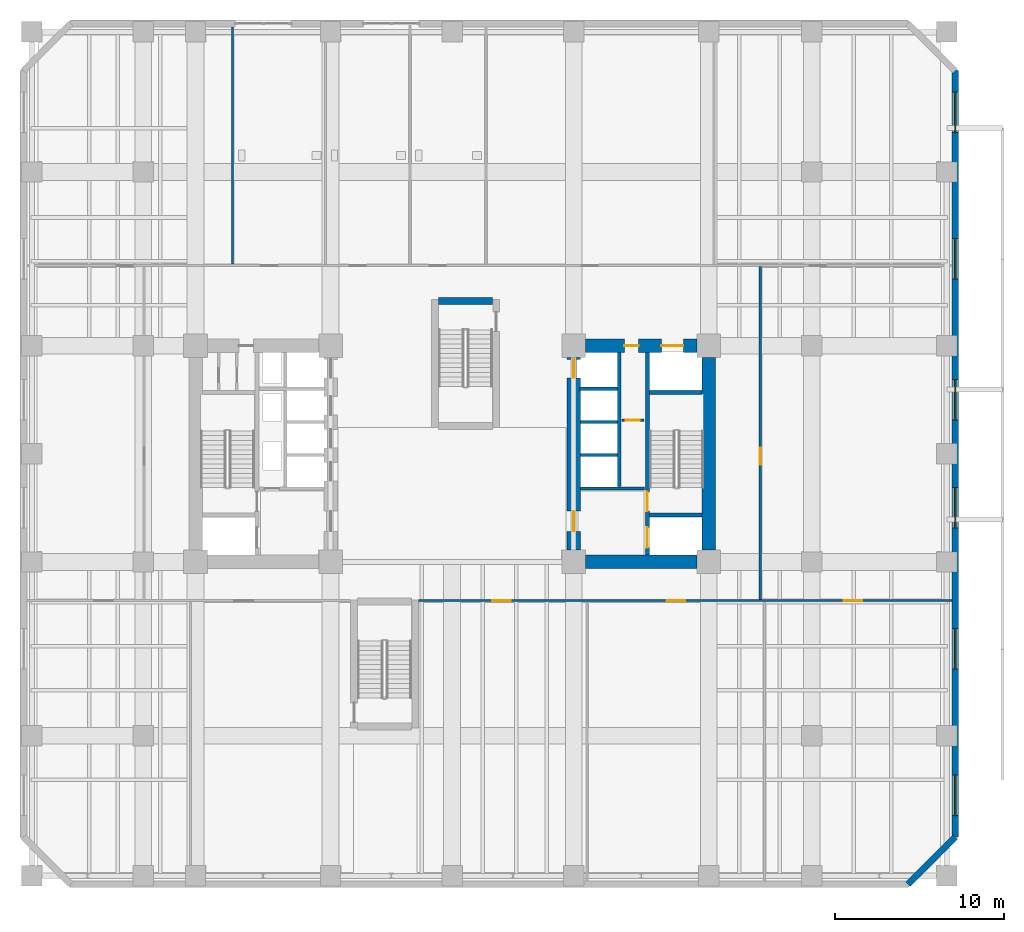
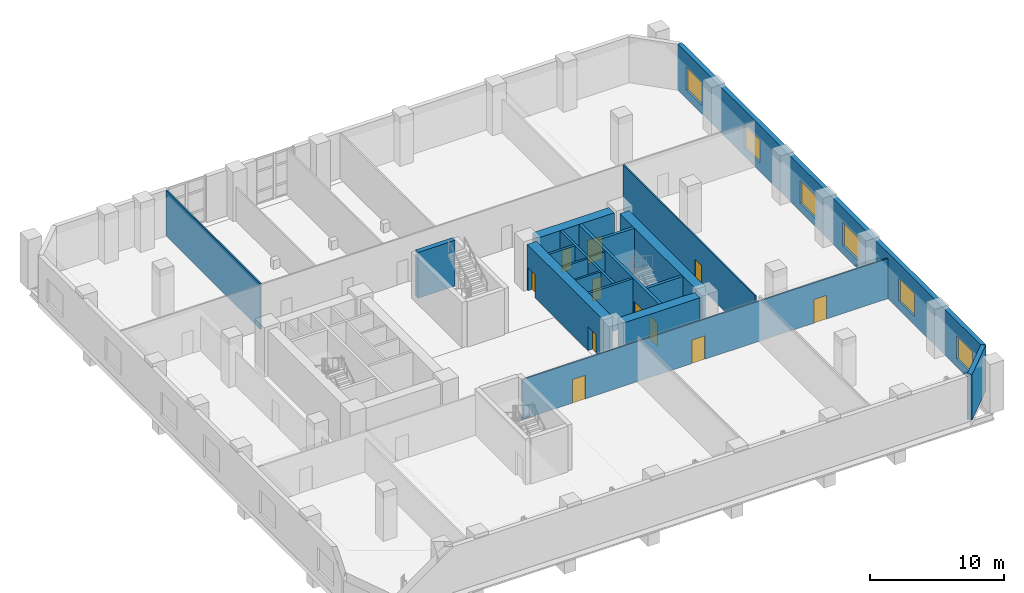
# One storey, part 8 of 15: 19 walls, 11 doors, 6 windows, 17 openings.
"""IFC4 building model written with IfcOpenShell, lengths in metres."""

import ifcopenshell
import ifcopenshell.guid

model = None  # the IFC model being written
_history = None  # IfcOwnerHistory: only IFC2X3 demands one
_inside = {}  # id of a spatial element -> (the spatial element, [elements in it])
_under = {}  # id of a project, library or spatial element -> (it, [spatial elements below it])
_declared = {}  # id of a project -> (the project, [libraries it declares])
_typed = {}  # id of a type object -> (the type object, [elements of that type])
_made_of = {}  # id of a material, layer set ... -> (it, [elements and type objects made of it])


def new_model(schema):
    """Start an empty IFC model of exactly this schema.

    Asked for "IFC4X3", IfcOpenShell would pick the latest addendum, in which some entities
    have other attributes; the version numbers below select the first issue.
    IFC2X3 requires an IfcOwnerHistory on every rooted entity: one is made here for all.
    """
    global model, _history
    if schema == "IFC4X3":
        model = ifcopenshell.file(schema_version=(4, 3, 0, 0))
    else:
        model = ifcopenshell.file(schema=schema)
    _inside.clear()
    _under.clear()
    _declared.clear()
    _typed.clear()
    _made_of.clear()
    _history = None
    if model.schema == "IFC2X3":
        org = make("IfcOrganization", Name="unknown")
        user = make(
            "IfcPersonAndOrganization",
            ThePerson=make("IfcPerson", FamilyName="unknown"),
            TheOrganization=org,
        )
        app = make(
            "IfcApplication",
            ApplicationDeveloper=org,
            Version="unknown",
            ApplicationFullName="unknown",
            ApplicationIdentifier="unknown",
        )
        _history = make(
            "IfcOwnerHistory",
            OwningUser=user,
            OwningApplication=app,
            ChangeAction="ADDED",
            CreationDate=0,
        )
    return model


def make(cls, **values):
    """One entity of the class cls with the attributes given. An attribute that is None is left unset."""
    return model.create_entity(
        cls, **{name: value for name, value in values.items() if value is not None}
    )


def rooted(cls, **values):
    """An entity with a GlobalId (a new one), such as an element, a storey or a relation."""
    return make(cls, GlobalId=ifcopenshell.guid.new(), OwnerHistory=_history, **values)


def si_unit(unit_type, name, prefix=None):
    """IfcSIUnit, for example si_unit("LENGTHUNIT", "METRE", prefix="MILLI")."""
    return make("IfcSIUnit", UnitType=unit_type, Prefix=prefix, Name=name)


def assignment(units):
    """IfcUnitAssignment: the units of a project."""
    return None if units is None else make("IfcUnitAssignment", Units=units)


def point(xyz):
    """IfcCartesianPoint."""
    return None if xyz is None else make("IfcCartesianPoint", Coordinates=xyz)


def direction(xyz):
    """IfcDirection."""
    return None if xyz is None else make("IfcDirection", DirectionRatios=xyz)


def frame(location, z_axis=None, x_axis=None):
    """IfcAxis2Placement3D, a coordinate frame: its origin and axes. An axis left out is left unset."""
    return make(
        "IfcAxis2Placement3D",
        Location=point(location),
        Axis=direction(z_axis),
        RefDirection=direction(x_axis),
    )


def frame_2d(location, x_axis=None):
    """IfcAxis2Placement2D, a coordinate frame in the plane: its origin and x axis."""
    return make(
        "IfcAxis2Placement2D", Location=point(location), RefDirection=direction(x_axis)
    )


def origin():
    """The frame at (0, 0, 0) with its axes left unset."""
    return frame((0.0, 0.0, 0.0))


def place(relative_to, where):
    """IfcLocalPlacement: puts the frame where relative to a parent placement (None: the world)."""
    return make(
        "IfcLocalPlacement", PlacementRelTo=relative_to, RelativePlacement=where
    )


def context(
    kind, dimensions, precision=None, world=None, true_north=None, identifier=None
):
    """IfcGeometricRepresentationContext, for example the 3D "Model" context."""
    return make(
        "IfcGeometricRepresentationContext",
        ContextIdentifier=identifier,
        ContextType=kind,
        CoordinateSpaceDimension=dimensions,
        Precision=precision,
        WorldCoordinateSystem=world,
        TrueNorth=true_north,
    )


def subcontext(parent, identifier, kind, view, scale=None):
    """IfcGeometricRepresentationSubContext, for example "Body" below "Model"."""
    return make(
        "IfcGeometricRepresentationSubContext",
        ContextIdentifier=identifier,
        ContextType=kind,
        ParentContext=parent,
        TargetScale=scale,
        TargetView=view,
    )


def project(units=None, contexts=None):
    """IfcProject with its units and contexts."""
    return rooted(
        "IfcProject",
        Name="project",
        RepresentationContexts=contexts,
        UnitsInContext=assignment(units),
    )


def spatial(cls, under=None, at=None, **own):
    """A site, building, storey or space (cls), placed at a placement, below another one or the project."""
    s = rooted(cls, ObjectPlacement=at, **own)
    if under is not None:
        _under.setdefault(under.id(), (under, []))[1].append(s)
    return s


def profile(cls, at=None, kind="AREA", **sizes):
    """A parametric profile (cls). Its sizes go by their IFC names, for example OverallWidth=200.0."""
    return make(cls, ProfileType=kind, Position=at, **sizes)


def rectangle(**sizes):
    """IfcRectangleProfileDef."""
    return profile("IfcRectangleProfileDef", **sizes)


def extrude(swept, where, along, depth):
    """IfcExtrudedAreaSolid: the profile swept, set in the frame where, extruded along a direction by depth."""
    return make(
        "IfcExtrudedAreaSolid",
        SweptArea=swept,
        Position=where,
        ExtrudedDirection=direction(along),
        Depth=depth,
    )


def shape(context_of_items, identifier, shape_type, items):
    """IfcShapeRepresentation: the items that make up one representation, for example the "Body"."""
    return make(
        "IfcShapeRepresentation",
        ContextOfItems=context_of_items,
        RepresentationIdentifier=identifier,
        RepresentationType=shape_type,
        Items=items,
    )


def material(Name=None, Category=None):
    """IfcMaterial."""
    return make("IfcMaterial", Name=Name, Category=Category)


def layer(
    of_material, thickness, ventilated=None, Name=None, Category=None, Priority=None
):
    """IfcMaterialLayer: one layer of a wall or slab, of a material (None: an air gap)."""
    return make(
        "IfcMaterialLayer",
        Material=of_material,
        LayerThickness=thickness,
        IsVentilated=ventilated,
        Name=Name,
        Category=Category,
        Priority=Priority,
    )


def layer_set(layers, Name=None):
    """IfcMaterialLayerSet."""
    return make("IfcMaterialLayerSet", MaterialLayers=layers, LayerSetName=Name)


def made_of(thing, what):
    """Note that an element or type object is made of a material, layer set ...; save() writes the relation."""
    if what is not None:
        _made_of.setdefault(what.id(), (what, []))[1].append(thing)
    return thing


def type_object(cls, material=None, **own):
    """A type object (cls), such as IfcWallType, which elements share."""
    return made_of(rooted(cls, **own), material)


def element(
    cls,
    number,
    at=None,
    inside=None,
    cuts=None,
    type_object=None,
    material=None,
    context=None,
    identifier="Body",
    shape_type=None,
    held_by="IfcProductDefinitionShape",
    body=None,
    shapes=None,
    **own,
):
    """One element of the class cls, such as IfcWall. Its Tag is "e" and its number.

    at: its placement. inside: the storey or other place that contains it. cuts: it is an
    opening in that element (IfcRelVoidsElement). A single representation is given by context,
    identifier, shape_type and body (its items); several are given by shapes. held_by: the class
    of the entity that holds the representations. save() writes the other relations.
    """
    e = rooted(cls, Tag="e%d" % number, ObjectPlacement=at, **own)
    if body is not None:
        shapes = [shape(context, identifier, shape_type, body)]
    if shapes is not None:
        e.Representation = make(held_by, Representations=shapes)
    if inside is not None:
        _inside.setdefault(inside.id(), (inside, []))[1].append(e)
    if cuts is not None:
        rooted(
            "IfcRelVoidsElement", RelatingBuildingElement=cuts, RelatedOpeningElement=e
        )
    if type_object is not None:
        _typed.setdefault(type_object.id(), (type_object, []))[1].append(e)
    return made_of(e, material)


def fill(opening, filler):
    """IfcRelFillsElement: the door or window that sits in an opening."""
    return rooted(
        "IfcRelFillsElement",
        RelatingOpeningElement=opening,
        RelatedBuildingElement=filler,
    )


def aggregate(whole, parts):
    """IfcRelAggregates: a whole, such as a stair, and the parts it consists of."""
    return rooted("IfcRelAggregates", RelatingObject=whole, RelatedObjects=parts)


def save(model, path):
    """Write the relations noted so far, then the file.

    IfcRelAggregates (storeys below a building ...), IfcRelContainedInSpatialStructure (elements
    in a storey), IfcRelDefinesByType, IfcRelAssociatesMaterial and IfcRelDeclares: one each for
    every whole, place, type object, material and project.
    """
    for whole, parts in _under.values():
        aggregate(whole, parts)
    for where, things in _inside.values():
        rooted(
            "IfcRelContainedInSpatialStructure",
            RelatedElements=things,
            RelatingStructure=where,
        )
    for kind, things in _typed.values():
        rooted("IfcRelDefinesByType", RelatedObjects=things, RelatingType=kind)
    for what, things in _made_of.values():
        rooted("IfcRelAssociatesMaterial", RelatedObjects=things, RelatingMaterial=what)
    for by, libraries in _declared.values():
        rooted("IfcRelDeclares", RelatingContext=by, RelatedDefinitions=libraries)
    model.write(path)


model = new_model("IFC4")

# Units and contexts
model_context = context("Model", 3, precision=1e-05, world=origin(), true_north=direction((0.0, 1.0)))
body_context = subcontext(model_context, "Body", "Model", "MODEL_VIEW")
ifc_project = project(units=[si_unit("LENGTHUNIT", "METRE"), si_unit("AREAUNIT", "SQUARE_METRE"), si_unit("VOLUMEUNIT", "CUBIC_METRE"), si_unit("PLANEANGLEUNIT", "RADIAN"), si_unit("MASSUNIT", "GRAM", prefix="KILO")], contexts=[model_context])

# Site, building, storey
site_placement = place(None, origin())
site = spatial("IfcSite", under=ifc_project, at=site_placement, CompositionType="ELEMENT")
building_placement = place(site_placement, origin())
building = spatial("IfcBuilding", under=site, at=building_placement, Name="Kranthara Brick Stack", CompositionType="ELEMENT")
storey_placement = place(building_placement, frame((0.0, 0.0, 5.39990234375)))
storey = spatial("IfcBuildingStorey", under=building, at=storey_placement, Name="L01", CompositionType="ELEMENT", Elevation=5.39990234375)

# Wall, openings, windows
ifc_material_1 = material(Name="Kiln-fired clay brick masonry M15", Category="masonry")
ifc_layer_1 = layer(ifc_material_1, 0.3798828125)
ifc_layer_set_1 = layer_set([ifc_layer_1], Name="Kiln-fired clay brick masonry M15")
wall_type_1 = type_object("IfcWallType", Name="WL-BRK-PIER-380", PredefinedType="STANDARD", material=ifc_layer_set_1)
wall_1_placement = place(storey_placement, frame((57.7900390625, 49.89990234375, 0.0), z_axis=(0.0, 0.0, 1.0), x_axis=(0.0, -1.0, 0.0)))
wall_1 = element("IfcWall", 1, at=wall_1_placement, inside=storey, type_object=wall_type_1, Name="L01 Exterior Brick Facade Wall EAST 1", PredefinedType="STANDARD", context=body_context, shape_type="SweptSolid", body=[
    extrude(rectangle(XDim=45.39990234375, YDim=0.3798828125, at=frame_2d((22.699951171875, 0.0))), origin(), (0.0, 0.0, 1.0), 4.18017578125),
])
opening_1_placement = place(wall_1_placement, frame((1.27490234375, 0.0, 0.75)))
opening_1 = element("IfcOpeningElement", 2, at=opening_1_placement, cuts=wall_1, Name="Opening WN11", PredefinedType="OPENING", context=body_context, shape_type="SweptSolid", body=[
    extrude(rectangle(XDim=2.39990234375, YDim=2.10009765625, at=frame_2d((1.199951171875, 1.050048828125))), frame((0.0, 0.199951171875, 0.0), z_axis=(0.0, -1.0, 0.0), x_axis=(1.0, 0.0, 0.0)), (0.0, 0.0, 1.0), 0.39990234375),
])
opening_2_placement = place(wall_1_placement, frame((9.949951171875, 0.0, 0.75)))
opening_2 = element("IfcOpeningElement", 3, at=opening_2_placement, cuts=wall_1, Name="Opening WN11", PredefinedType="OPENING", context=body_context, shape_type="SweptSolid", body=[
    extrude(rectangle(XDim=2.39990234375, YDim=2.10009765625, at=frame_2d((1.199951171875, 1.050048828125))), frame((0.0, 0.199951171875, 0.0), z_axis=(0.0, -1.0, 0.0), x_axis=(1.0, 0.0, 0.0)), (0.0, 0.0, 1.0), 0.39990234375),
])
opening_3_placement = place(wall_1_placement, frame((18.300048828125, 0.0, 0.75)))
opening_3 = element("IfcOpeningElement", 4, at=opening_3_placement, cuts=wall_1, Name="Opening WN11", PredefinedType="OPENING", context=body_context, shape_type="SweptSolid", body=[
    extrude(rectangle(XDim=2.39990234375, YDim=2.10009765625, at=frame_2d((1.199951171875, 1.050048828125))), frame((0.0, 0.199951171875, 0.0), z_axis=(0.0, -1.0, 0.0), x_axis=(1.0, 0.0, 0.0)), (0.0, 0.0, 1.0), 0.39990234375),
])
opening_4_placement = place(wall_1_placement, frame((24.699951171875, 0.0, 0.75)))
opening_4 = element("IfcOpeningElement", 5, at=opening_4_placement, cuts=wall_1, Name="Opening WN11", PredefinedType="OPENING", context=body_context, shape_type="SweptSolid", body=[
    extrude(rectangle(XDim=2.39990234375, YDim=2.10009765625, at=frame_2d((1.199951171875, 1.050048828125))), frame((0.0, 0.199951171875, 0.0), z_axis=(0.0, -1.0, 0.0), x_axis=(1.0, 0.0, 0.0)), (0.0, 0.0, 1.0), 0.39990234375),
])
opening_5_placement = place(wall_1_placement, frame((33.050048828125, 0.0, 0.75)))
opening_5 = element("IfcOpeningElement", 6, at=opening_5_placement, cuts=wall_1, Name="Opening WN11", PredefinedType="OPENING", context=body_context, shape_type="SweptSolid", body=[
    extrude(rectangle(XDim=2.39990234375, YDim=2.10009765625, at=frame_2d((1.199951171875, 1.050048828125))), frame((0.0, 0.199951171875, 0.0), z_axis=(0.0, -1.0, 0.0), x_axis=(1.0, 0.0, 0.0)), (0.0, 0.0, 1.0), 0.39990234375),
])
opening_6_placement = place(wall_1_placement, frame((41.72509765625, 0.0, 0.75)))
opening_6 = element("IfcOpeningElement", 7, at=opening_6_placement, cuts=wall_1, Name="Opening WN11", PredefinedType="OPENING", context=body_context, shape_type="SweptSolid", body=[
    extrude(rectangle(XDim=2.39990234375, YDim=2.10009765625, at=frame_2d((1.199951171875, 1.050048828125))), frame((0.0, 0.199951171875, 0.0), z_axis=(0.0, -1.0, 0.0), x_axis=(1.0, 0.0, 0.0)), (0.0, 0.0, 1.0), 0.39990234375),
])
ifc_material_2 = material(Name="Double-glazed low-E solar control glass", Category="glass")
window_type = type_object("IfcWindowType", Name="WN-POD-2400x2100", PartitioningType="TRIPLE_PANEL_VERTICAL", PredefinedType="WINDOW", material=ifc_material_2)
window_1_placement = place(opening_1_placement, origin())
window_1 = element("IfcWindow", 8, at=window_1_placement, inside=storey, type_object=window_type, Name="L01 EAST Podium Window", OverallHeight=2.10009765625, OverallWidth=2.39990234375, PartitioningType="SINGLE_PANEL", PredefinedType="WINDOW", context=body_context, shape_type="SweptSolid", body=[
    extrude(rectangle(XDim=2.39990234375, YDim=2.10009765625, at=frame_2d((1.199951171875, 1.050048828125))), frame((0.0, 0.030029296875, 0.0), z_axis=(0.0, -1.0, 0.0), x_axis=(1.0, 0.0, 0.0)), (0.0, 0.0, 1.0), 0.06005859375),
])
fill(opening_1, window_1)
window_2_placement = place(opening_2_placement, origin())
window_2 = element("IfcWindow", 9, at=window_2_placement, inside=storey, type_object=window_type, Name="L01 EAST Podium Window", OverallHeight=2.10009765625, OverallWidth=2.39990234375, PartitioningType="SINGLE_PANEL", PredefinedType="WINDOW", context=body_context, shape_type="SweptSolid", body=[
    extrude(rectangle(XDim=2.39990234375, YDim=2.10009765625, at=frame_2d((1.199951171875, 1.050048828125))), frame((0.0, 0.030029296875, 0.0), z_axis=(0.0, -1.0, 0.0), x_axis=(1.0, 0.0, 0.0)), (0.0, 0.0, 1.0), 0.06005859375),
])
fill(opening_2, window_2)
window_3_placement = place(opening_3_placement, origin())
window_3 = element("IfcWindow", 10, at=window_3_placement, inside=storey, type_object=window_type, Name="L01 EAST Podium Window", OverallHeight=2.10009765625, OverallWidth=2.39990234375, PartitioningType="SINGLE_PANEL", PredefinedType="WINDOW", context=body_context, shape_type="SweptSolid", body=[
    extrude(rectangle(XDim=2.39990234375, YDim=2.10009765625, at=frame_2d((1.199951171875, 1.050048828125))), frame((0.0, 0.030029296875, 0.0), z_axis=(0.0, -1.0, 0.0), x_axis=(1.0, 0.0, 0.0)), (0.0, 0.0, 1.0), 0.06005859375),
])
fill(opening_3, window_3)
window_4_placement = place(opening_4_placement, origin())
window_4 = element("IfcWindow", 11, at=window_4_placement, inside=storey, type_object=window_type, Name="L01 EAST Podium Window", OverallHeight=2.10009765625, OverallWidth=2.39990234375, PartitioningType="SINGLE_PANEL", PredefinedType="WINDOW", context=body_context, shape_type="SweptSolid", body=[
    extrude(rectangle(XDim=2.39990234375, YDim=2.10009765625, at=frame_2d((1.199951171875, 1.050048828125))), frame((0.0, 0.030029296875, 0.0), z_axis=(0.0, -1.0, 0.0), x_axis=(1.0, 0.0, 0.0)), (0.0, 0.0, 1.0), 0.06005859375),
])
fill(opening_4, window_4)
window_5_placement = place(opening_5_placement, origin())
window_5 = element("IfcWindow", 12, at=window_5_placement, inside=storey, type_object=window_type, Name="L01 EAST Podium Window", OverallHeight=2.10009765625, OverallWidth=2.39990234375, PartitioningType="SINGLE_PANEL", PredefinedType="WINDOW", context=body_context, shape_type="SweptSolid", body=[
    extrude(rectangle(XDim=2.39990234375, YDim=2.10009765625, at=frame_2d((1.199951171875, 1.050048828125))), frame((0.0, 0.030029296875, 0.0), z_axis=(0.0, -1.0, 0.0), x_axis=(1.0, 0.0, 0.0)), (0.0, 0.0, 1.0), 0.06005859375),
])
fill(opening_5, window_5)
window_6_placement = place(opening_6_placement, origin())
window_6 = element("IfcWindow", 13, at=window_6_placement, inside=storey, type_object=window_type, Name="L01 EAST Podium Window", OverallHeight=2.10009765625, OverallWidth=2.39990234375, PartitioningType="SINGLE_PANEL", PredefinedType="WINDOW", context=body_context, shape_type="SweptSolid", body=[
    extrude(rectangle(XDim=2.39990234375, YDim=2.10009765625, at=frame_2d((1.199951171875, 1.050048828125))), frame((0.0, 0.030029296875, 0.0), z_axis=(0.0, -1.0, 0.0), x_axis=(1.0, 0.0, 0.0)), (0.0, 0.0, 1.0), 0.06005859375),
])
fill(opening_6, window_6)

# Wall
wall_2_placement = place(storey_placement, frame((57.7900390625, 4.5, 0.0), z_axis=(0.0, 0.0, 1.0), x_axis=(-0.707106781187, -0.707106781187, 0.0)))
element("IfcWall", 14, at=wall_2_placement, inside=storey, type_object=wall_type_1, Name="L01 Exterior Brick Facade Wall SE 1", PredefinedType="STANDARD", context=body_context, shape_type="SweptSolid", body=[
    extrude(rectangle(XDim=3.94580078125, YDim=0.3798828125, at=frame_2d((1.972900390625, 0.0))), origin(), (0.0, 0.0, 1.0), 4.18017578125),
])

# Wall, openings, doors
ifc_material_3 = material(Name="Concrete C50/60", Category="concrete")
ifc_layer_2 = layer(ifc_material_3, 0.25)
ifc_layer_set_2 = layer_set([ifc_layer_2], Name="Concrete C50/60")
wall_type_2 = type_object("IfcWallType", Name="WL-CORE-250", PredefinedType="SHEAR", material=ifc_layer_set_2)
wall_3_placement = place(storey_placement, frame((39.56494140625, 21.2099609375, 0.0), z_axis=(0.0, 0.0, 1.0), x_axis=(0.0, 1.0, 0.0)))
wall_3 = element("IfcWall", 15, at=wall_3_placement, inside=storey, type_object=wall_type_2, Name="L01 East Core Stair Bearing Spine Wall", PredefinedType="SHEAR", context=body_context, shape_type="SweptSolid", body=[
    extrude(rectangle(XDim=11.97998046875, YDim=0.25, at=frame_2d((5.989990234375, 0.0))), origin(), (0.0, 0.0, 1.0), 4.18017578125),
])
opening_7_placement = place(wall_3_placement, frame((0.43994140625, 0.0, 0.0)))
opening_7 = element("IfcOpeningElement", 16, at=opening_7_placement, cuts=wall_3, Name="Opening LD01", PredefinedType="OPENING", context=body_context, shape_type="SweptSolid", body=[
    extrude(rectangle(XDim=1.199951171875, YDim=2.14990234375, at=frame_2d((0.60009765625, 1.074951171875))), frame((0.0, 0.135009765625, 0.0), z_axis=(0.0, -1.0, 0.0), x_axis=(1.0, 0.0, 0.0)), (0.0, 0.0, 1.0), 0.27001953125),
])
opening_8_placement = place(wall_3_placement, frame((2.590087890625, 0.0, 0.0)))
opening_8 = element("IfcOpeningElement", 17, at=opening_8_placement, cuts=wall_3, Name="Opening D05", PredefinedType="OPENING", context=body_context, shape_type="SweptSolid", body=[
    extrude(rectangle(XDim=1.14990234375, YDim=2.14990234375, at=frame_2d((0.574951171875, 1.074951171875))), frame((0.0, 0.135009765625, 0.0), z_axis=(0.0, -1.0, 0.0), x_axis=(1.0, 0.0, 0.0)), (0.0, 0.0, 1.0), 0.27001953125),
])
ifc_material_4 = material(Name="Stainless steel sliding landing door", Category="steel")
door_type_1 = type_object("IfcDoorType", Name="DR-LD-FF1200", OperationType="DOUBLE_DOOR_SLIDING", PredefinedType="DOOR", material=ifc_material_4)
door_1_placement = place(opening_7_placement, origin())
door_1 = element("IfcDoor", 18, at=door_1_placement, inside=storey, type_object=door_type_1, Name="L01 Firefighting Lift FF-02 Landing Door", OperationType="DOUBLE_DOOR_SLIDING", OverallHeight=2.14990234375, OverallWidth=1.199951171875, PredefinedType="DOOR", context=body_context, shape_type="SweptSolid", body=[
    extrude(rectangle(XDim=1.199951171875, YDim=2.14990234375, at=frame_2d((0.60009765625, 1.074951171875))), frame((0.0, 0.02490234375, 0.0), z_axis=(0.0, -1.0, 0.0), x_axis=(1.0, 0.0, 0.0)), (0.0, 0.0, 1.0), 0.050048828125),
])
fill(opening_7, door_1)
ifc_material_5 = material(Name="Solid-core hardwood timber leaf in steel frame", Category="steel")
door_type_2 = type_object("IfcDoorType", Name="DR-ST-1150", OperationType="NOTDEFINED", PredefinedType="DOOR", material=ifc_material_5)
door_2_placement = place(opening_8_placement, origin())
door_2 = element("IfcDoor", 19, at=door_2_placement, inside=storey, type_object=door_type_2, Name="L01 Exit Stair ST02 Door", OperationType="SINGLE_SWING_LEFT", OverallHeight=2.14990234375, OverallWidth=1.14990234375, PredefinedType="DOOR", context=body_context, shape_type="SweptSolid", body=[
    extrude(rectangle(XDim=1.14990234375, YDim=2.14990234375, at=frame_2d((0.574951171875, 1.074951171875))), frame((0.0, 0.02490234375, 0.0), z_axis=(0.0, -1.0, 0.0), x_axis=(1.0, 0.0, 0.0)), (0.0, 0.0, 1.0), 0.050048828125),
])
fill(opening_8, door_2)

# Walls
for number, where, z_axis, x_axis, name in (
    (20, (39.68994140625, 23.570068359375, 0.0), (0.0, 0.0, 1.0), (1.0, 0.0, 0.0), "L01 East Stairwell Bearing Wall EFF"),
    (21, (39.68994140625, 30.830078125, 0.0), (0.0, 0.0, 1.0), (1.0, 0.0, 0.0), "L01 East Stairwell Bearing Wall EST"),
):
    element("IfcWall", number, at=place(storey_placement, frame(where, z_axis=z_axis, x_axis=x_axis)), inside=storey, type_object=wall_type_2, Name=name, PredefinedType="SHEAR", context=body_context, shape_type="SweptSolid", body=[
        extrude(rectangle(XDim=3.10009765625, YDim=0.25, at=frame_2d((1.550048828125, 0.0))), origin(), (0.0, 0.0, 1.0), 4.18017578125),
    ])
ifc_material_6 = material(Name="Concrete C50/60", Category="concrete")
ifc_layer_3 = layer(ifc_material_6, 0.39990234375)
ifc_layer_set_3 = layer_set([ifc_layer_3], Name="Concrete C50/60")
wall_type_3 = type_object("IfcWallType", Name="WL-CORE-400", PredefinedType="SHEAR", material=ifc_layer_set_3)
wall_4_placement = place(storey_placement, frame((27.199951171875, 36.25, 0.0), z_axis=(0.0, 0.0, 1.0), x_axis=(1.0, 0.0, 0.0)))
element("IfcWall", 22, at=wall_4_placement, inside=storey, type_object=wall_type_3, Name="L01 Stair ST04 Bearing Wall N", PredefinedType="SHEAR", context=body_context, shape_type="SweptSolid", body=[
    extrude(rectangle(XDim=3.199951171875, YDim=0.39990234375, at=frame_2d((1.60009765625, 0.0))), origin(), (0.0, 0.0, 1.0), 4.18017578125),
])
ifc_material_7 = material(Name="Concrete C70/85", Category="concrete")
ifc_layer_4 = layer(ifc_material_7, 0.800048828125)
ifc_layer_set_4 = layer_set([ifc_layer_4], Name="Concrete C70/85")
wall_type_4 = type_object("IfcWallType", Name="WL-CORE-800", PredefinedType="SHEAR", material=ifc_layer_set_4)
wall_5_placement = place(storey_placement, frame((43.199951171875, 21.5048828125, 0.0), z_axis=(0.0, 0.0, 1.0), x_axis=(0.0, 1.0, 0.0)))
element("IfcWall", 23, at=wall_5_placement, inside=storey, type_object=wall_type_4, Name="L01 East Core Shear Wall East", PredefinedType="SHEAR", context=body_context, shape_type="SweptSolid", body=[
    extrude(rectangle(XDim=11.39013671875, YDim=0.800048828125, at=frame_2d((5.695068359375, 0.0))), origin(), (0.0, 0.0, 1.0), 4.18017578125),
])
wall_6_placement = place(storey_placement, frame((35.905029296875, 20.800048828125, 0.0), z_axis=(0.0, 0.0, 1.0), x_axis=(1.0, 0.0, 0.0)))
element("IfcWall", 24, at=wall_6_placement, inside=storey, type_object=wall_type_4, Name="L01 East Core Shear Wall South", PredefinedType="SHEAR", context=body_context, shape_type="SweptSolid", body=[
    extrude(rectangle(XDim=6.590087890625, YDim=0.800048828125, at=frame_2d((3.294921875, 0.0))), origin(), (0.0, 0.0, 1.0), 4.18017578125),
])

# Wall, openings, doors
wall_7_placement = place(storey_placement, frame((35.905029296875, 33.60009765625, 0.0), z_axis=(0.0, 0.0, 1.0), x_axis=(1.0, 0.0, 0.0)))
wall_7 = element("IfcWall", 25, at=wall_7_placement, inside=storey, type_object=wall_type_4, Name="L01 East Core Shear Wall North", PredefinedType="SHEAR", context=body_context, shape_type="SweptSolid", body=[
    extrude(rectangle(XDim=6.590087890625, YDim=0.800048828125, at=frame_2d((3.294921875, 0.0))), origin(), (0.0, 0.0, 1.0), 4.18017578125),
])
opening_9_placement = place(wall_7_placement, frame((4.4951171875, 0.0, 0.0)))
opening_9 = element("IfcOpeningElement", 26, at=opening_9_placement, cuts=wall_7, Name="Opening LD03", PredefinedType="OPENING", context=body_context, shape_type="SweptSolid", body=[
    extrude(rectangle(XDim=1.300048828125, YDim=2.14990234375, at=frame_2d((0.64990234375, 1.074951171875))), frame((0.0, 0.409912109375, 0.0), z_axis=(0.0, -1.0, 0.0), x_axis=(1.0, 0.0, 0.0)), (0.0, 0.0, 1.0), 0.820068359375),
])
opening_10_placement = place(wall_7_placement, frame((2.294921875, 0.0, 0.0)))
opening_10 = element("IfcOpeningElement", 27, at=opening_10_placement, cuts=wall_7, Name="Opening D10", PredefinedType="OPENING", context=body_context, shape_type="SweptSolid", body=[
    extrude(rectangle(XDim=0.85009765625, YDim=2.02001953125, at=frame_2d((0.425048828125, 1.010009765625))), frame((0.0, 0.409912109375, 0.0), z_axis=(0.0, -1.0, 0.0), x_axis=(1.0, 0.0, 0.0)), (0.0, 0.0, 1.0), 0.820068359375),
])
ifc_material_8 = material(Name="Stainless steel sliding landing door", Category="steel")
door_type_3 = type_object("IfcDoorType", Name="DR-LD-SV1300", OperationType="DOUBLE_DOOR_SLIDING", PredefinedType="DOOR", material=ifc_material_8)
door_3_placement = place(opening_9_placement, origin())
door_3 = element("IfcDoor", 28, at=door_3_placement, inside=storey, type_object=door_type_3, Name="L01 Stretcher Service Lift SV-01 Landing Door", OperationType="DOUBLE_DOOR_SLIDING", OverallHeight=2.14990234375, OverallWidth=1.300048828125, PredefinedType="DOOR", context=body_context, shape_type="SweptSolid", body=[
    extrude(rectangle(XDim=1.300048828125, YDim=2.14990234375, at=frame_2d((0.64990234375, 1.074951171875))), frame((0.0, 0.02490234375, 0.0), z_axis=(0.0, -1.0, 0.0), x_axis=(1.0, 0.0, 0.0)), (0.0, 0.0, 1.0), 0.050048828125),
])
fill(opening_9, door_3)
ifc_material_9 = material(Name="Solid-core hardwood timber leaf in steel frame", Category="steel")
door_type_4 = type_object("IfcDoorType", Name="DR-RSR-850", OperationType="NOTDEFINED", PredefinedType="DOOR", material=ifc_material_9)
door_4_placement = place(opening_10_placement, origin())
door_4 = element("IfcDoor", 29, at=door_4_placement, inside=storey, type_object=door_type_4, Name="L01 East Core Service Room Door", OperationType="SINGLE_SWING_LEFT", OverallHeight=2.02001953125, OverallWidth=0.85009765625, PredefinedType="DOOR", context=body_context, shape_type="SweptSolid", body=[
    extrude(rectangle(XDim=0.85009765625, YDim=2.02001953125, at=frame_2d((0.425048828125, 1.010009765625))), frame((0.0, 0.02490234375, 0.0), z_axis=(0.0, -1.0, 0.0), x_axis=(1.0, 0.0, 0.0)), (0.0, 0.0, 1.0), 0.050048828125),
])
fill(opening_10, door_4)

wall_8_placement = place(storey_placement, frame((35.199951171875, 21.5048828125, 0.0), z_axis=(0.0, 0.0, 1.0), x_axis=(0.0, 1.0, 0.0)))
wall_8 = element("IfcWall", 30, at=wall_8_placement, inside=storey, type_object=wall_type_4, Name="L01 East Core Shear Wall West", PredefinedType="SHEAR", context=body_context, shape_type="SweptSolid", body=[
    extrude(rectangle(XDim=11.39013671875, YDim=0.800048828125, at=frame_2d((5.695068359375, 0.0))), origin(), (0.0, 0.0, 1.0), 4.18017578125),
])
opening_11_placement = place(wall_8_placement, frame((1.094970703125, 0.0, 0.0)))
opening_11 = element("IfcOpeningElement", 31, at=opening_11_placement, cuts=wall_8, Name="Opening D06", PredefinedType="OPENING", context=body_context, shape_type="SweptSolid", body=[
    extrude(rectangle(XDim=1.199951171875, YDim=2.14990234375, at=frame_2d((0.60009765625, 1.074951171875))), frame((0.0, 0.409912109375, 0.0), z_axis=(0.0, -1.0, 0.0), x_axis=(1.0, 0.0, 0.0)), (0.0, 0.0, 1.0), 0.820068359375),
])
opening_12_placement = place(wall_8_placement, frame((10.195068359375, 0.0, 0.0)))
opening_12 = element("IfcOpeningElement", 32, at=opening_12_placement, cuts=wall_8, Name="Opening LD02", PredefinedType="OPENING", context=body_context, shape_type="SweptSolid", body=[
    extrude(rectangle(XDim=1.10009765625, YDim=2.10009765625, at=frame_2d((0.550048828125, 1.050048828125))), frame((0.0, 0.409912109375, 0.0), z_axis=(0.0, -1.0, 0.0), x_axis=(1.0, 0.0, 0.0)), (0.0, 0.0, 1.0), 0.820068359375),
])
ifc_material_10 = material(Name="Solid-core hardwood timber leaf in steel frame", Category="steel")
door_type_5 = type_object("IfcDoorType", Name="DR-FFL-1200", OperationType="NOTDEFINED", PredefinedType="DOOR", material=ifc_material_10)
door_5_placement = place(opening_11_placement, origin())
door_5 = element("IfcDoor", 33, at=door_5_placement, inside=storey, type_object=door_type_5, Name="L01 East Firefighting Lobby Door", OperationType="SINGLE_SWING_RIGHT", OverallHeight=2.14990234375, OverallWidth=1.199951171875, PredefinedType="DOOR", context=body_context, shape_type="SweptSolid", body=[
    extrude(rectangle(XDim=1.199951171875, YDim=2.14990234375, at=frame_2d((0.60009765625, 1.074951171875))), frame((0.0, 0.02490234375, 0.0), z_axis=(0.0, -1.0, 0.0), x_axis=(1.0, 0.0, 0.0)), (0.0, 0.0, 1.0), 0.050048828125),
])
fill(opening_11, door_5)
ifc_material_11 = material(Name="Stainless steel sliding landing door", Category="steel")
door_type_6 = type_object("IfcDoorType", Name="DR-LD-PL1100", OperationType="DOUBLE_DOOR_SLIDING", PredefinedType="DOOR", material=ifc_material_11)
door_6_placement = place(opening_12_placement, origin())
door_6 = element("IfcDoor", 34, at=door_6_placement, inside=storey, type_object=door_type_6, Name="L01 PL-08 Lift Landing Door", OperationType="DOUBLE_DOOR_SLIDING", OverallHeight=2.10009765625, OverallWidth=1.10009765625, PredefinedType="DOOR", context=body_context, shape_type="SweptSolid", body=[
    extrude(rectangle(XDim=1.10009765625, YDim=2.10009765625, at=frame_2d((0.550048828125, 1.050048828125))), frame((0.0, 0.02490234375, 0.0), z_axis=(0.0, -1.0, 0.0), x_axis=(1.0, 0.0, 0.0)), (0.0, 0.0, 1.0), 0.050048828125),
])
fill(opening_12, door_6)

ifc_material_12 = material(Name="Acoustic gypsum plasterboard partition", Category="other")
ifc_layer_5 = layer(ifc_material_12, 0.1201171875)
ifc_layer_set_5 = layer_set([ifc_layer_5], Name="Acoustic gypsum plasterboard partition")
wall_type_5 = type_object("IfcWallType", Name="WL-PART-120", PredefinedType="PARTITIONING", material=ifc_layer_set_5)
wall_9_placement = place(storey_placement, frame((26.014892578125, 18.5, 0.0), z_axis=(0.0, 0.0, 1.0), x_axis=(1.0, 0.0, 0.0)))
wall_9 = element("IfcWall", 35, at=wall_9_placement, inside=storey, type_object=wall_type_5, Name="L01 Interior Partition 005", PredefinedType="PARTITIONING", context=body_context, shape_type="SweptSolid", body=[
    extrude(rectangle(XDim=31.580078125, YDim=0.1201171875, at=frame_2d((15.7900390625, 0.0))), origin(), (0.0, 0.0, 1.0), 3.6650390625),
])
opening_13_placement = place(wall_9_placement, frame((4.360107421875, 0.0, 0.0)))
opening_13 = element("IfcOpeningElement", 36, at=opening_13_placement, cuts=wall_9, Name="Opening D11", PredefinedType="OPENING", context=body_context, shape_type="SweptSolid", body=[
    extrude(rectangle(XDim=1.10009765625, YDim=2.14990234375, at=frame_2d((0.550048828125, 1.074951171875))), frame((0.0, 0.070068359375, 0.0), z_axis=(0.0, -1.0, 0.0), x_axis=(1.0, 0.0, 0.0)), (0.0, 0.0, 1.0), 0.14013671875),
])
opening_14_placement = place(wall_9_placement, frame((14.68505859375, 0.0, 0.0)))
opening_14 = element("IfcOpeningElement", 37, at=opening_14_placement, cuts=wall_9, Name="Opening D11", PredefinedType="OPENING", context=body_context, shape_type="SweptSolid", body=[
    extrude(rectangle(XDim=1.10009765625, YDim=2.14990234375, at=frame_2d((0.550048828125, 1.074951171875))), frame((0.0, 0.070068359375, 0.0), z_axis=(0.0, -1.0, 0.0), x_axis=(1.0, 0.0, 0.0)), (0.0, 0.0, 1.0), 0.14013671875),
])
opening_15_placement = place(wall_9_placement, frame((25.18505859375, 0.0, 0.0)))
opening_15 = element("IfcOpeningElement", 38, at=opening_15_placement, cuts=wall_9, Name="Opening D11", PredefinedType="OPENING", context=body_context, shape_type="SweptSolid", body=[
    extrude(rectangle(XDim=1.10009765625, YDim=2.14990234375, at=frame_2d((0.550048828125, 1.074951171875))), frame((0.0, 0.070068359375, 0.0), z_axis=(0.0, -1.0, 0.0), x_axis=(1.0, 0.0, 0.0)), (0.0, 0.0, 1.0), 0.14013671875),
])
ifc_material_13 = material(Name="Solid-core hardwood timber leaf in steel frame", Category="steel")
door_type_7 = type_object("IfcDoorType", Name="DR-INT-1100", OperationType="NOTDEFINED", PredefinedType="DOOR", material=ifc_material_13)
door_7_placement = place(opening_13_placement, origin())
door_7 = element("IfcDoor", 39, at=door_7_placement, inside=storey, type_object=door_type_7, Name="L01 Business Lounge 06", OperationType="SINGLE_SWING_RIGHT", OverallHeight=2.14990234375, OverallWidth=1.10009765625, PredefinedType="DOOR", context=body_context, shape_type="SweptSolid", body=[
    extrude(rectangle(XDim=1.10009765625, YDim=2.14990234375, at=frame_2d((0.550048828125, 1.074951171875))), frame((0.0, 0.02490234375, 0.0), z_axis=(0.0, -1.0, 0.0), x_axis=(1.0, 0.0, 0.0)), (0.0, 0.0, 1.0), 0.050048828125),
])
fill(opening_13, door_7)
door_8_placement = place(opening_14_placement, origin())
door_8 = element("IfcDoor", 40, at=door_8_placement, inside=storey, type_object=door_type_7, Name="L01 Executive Seminar Room 07", OperationType="SINGLE_SWING_LEFT", OverallHeight=2.14990234375, OverallWidth=1.10009765625, PredefinedType="DOOR", context=body_context, shape_type="SweptSolid", body=[
    extrude(rectangle(XDim=1.10009765625, YDim=2.14990234375, at=frame_2d((0.550048828125, 1.074951171875))), frame((0.0, 0.02490234375, 0.0), z_axis=(0.0, -1.0, 0.0), x_axis=(1.0, 0.0, 0.0)), (0.0, 0.0, 1.0), 0.050048828125),
])
fill(opening_14, door_8)
door_9_placement = place(opening_15_placement, origin())
door_9 = element("IfcDoor", 41, at=door_9_placement, inside=storey, type_object=door_type_7, Name="L01 Tech Media Lab 08", OperationType="SINGLE_SWING_RIGHT", OverallHeight=2.14990234375, OverallWidth=1.10009765625, PredefinedType="DOOR", context=body_context, shape_type="SweptSolid", body=[
    extrude(rectangle(XDim=1.10009765625, YDim=2.14990234375, at=frame_2d((0.550048828125, 1.074951171875))), frame((0.0, 0.02490234375, 0.0), z_axis=(0.0, -1.0, 0.0), x_axis=(1.0, 0.0, 0.0)), (0.0, 0.0, 1.0), 0.050048828125),
])
fill(opening_15, door_9)

# Wall
wall_10_placement = place(storey_placement, frame((15.0, 38.449951171875, 0.0), z_axis=(0.0, 0.0, 1.0), x_axis=(0.0, 1.0, 0.0)))
element("IfcWall", 42, at=wall_10_placement, inside=storey, type_object=wall_type_5, Name="L01 Interior Partition 010", PredefinedType="PARTITIONING", context=body_context, shape_type="SweptSolid", body=[
    extrude(rectangle(XDim=14.045166015625, YDim=0.1201171875, at=frame_2d((7.0224609375, 0.0))), origin(), (0.0, 0.0, 1.0), 4.18017578125),
])

# Wall, opening, door
wall_11_placement = place(storey_placement, frame((46.25, 18.56494140625, 0.0), z_axis=(0.0, 0.0, 1.0), x_axis=(0.0, 1.0, 0.0)))
wall_11 = element("IfcWall", 43, at=wall_11_placement, inside=storey, type_object=wall_type_5, Name="L01 Interior Partition 016", PredefinedType="PARTITIONING", context=body_context, shape_type="SweptSolid", body=[
    extrude(rectangle(XDim=19.719970703125, YDim=0.1201171875, at=frame_2d((9.85986328125, 0.0))), origin(), (0.0, 0.0, 1.0), 4.18017578125),
])
opening_16_placement = place(wall_11_placement, frame((7.985107421875, 0.0, 0.0)))
opening_16 = element("IfcOpeningElement", 44, at=opening_16_placement, cuts=wall_11, Name="Opening D13", PredefinedType="OPENING", context=body_context, shape_type="SweptSolid", body=[
    extrude(rectangle(XDim=1.0, YDim=2.10009765625, at=frame_2d((0.5, 1.050048828125))), frame((0.0, 0.070068359375, 0.0), z_axis=(0.0, -1.0, 0.0), x_axis=(1.0, 0.0, 0.0)), (0.0, 0.0, 1.0), 0.14013671875),
])
ifc_material_14 = material(Name="Solid-core hardwood timber leaf in steel frame", Category="steel")
door_type_8 = type_object("IfcDoorType", Name="DR-INT-1000", OperationType="NOTDEFINED", PredefinedType="DOOR", material=ifc_material_14)
door_10_placement = place(opening_16_placement, origin())
door_10 = element("IfcDoor", 45, at=door_10_placement, inside=storey, type_object=door_type_8, Name="L01 East Gallery Office 16", OperationType="SINGLE_SWING_RIGHT", OverallHeight=2.10009765625, OverallWidth=1.0, PredefinedType="DOOR", context=body_context, shape_type="SweptSolid", body=[
    extrude(rectangle(XDim=1.0, YDim=2.10009765625, at=frame_2d((0.5, 1.050048828125))), frame((0.0, 0.02490234375, 0.0), z_axis=(0.0, -1.0, 0.0), x_axis=(1.0, 0.0, 0.0)), (0.0, 0.0, 1.0), 0.050048828125),
])
fill(opening_16, door_10)

ifc_material_15 = material(Name="Fire-rated gypsum board partition", Category="other")
ifc_layer_6 = layer(ifc_material_15, 0.14990234375)
ifc_layer_set_6 = layer_set([ifc_layer_6], Name="Fire-rated gypsum board partition")
wall_type_6 = type_object("IfcWallType", Name="WL-PART-150", PredefinedType="PARTITIONING", material=ifc_layer_set_6)
wall_12_placement = place(storey_placement, frame((38.050048828125, 29.199951171875, 0.0), z_axis=(0.0, 0.0, 1.0), x_axis=(1.0, 0.0, 0.0)))
wall_12 = element("IfcWall", 46, at=wall_12_placement, inside=storey, type_object=wall_type_6, Name="L01 Interior Partition 003", PredefinedType="PARTITIONING", context=body_context, shape_type="SweptSolid", body=[
    extrude(rectangle(XDim=1.300048828125, YDim=0.14990234375, at=frame_2d((0.64990234375, 0.0))), origin(), (0.0, 0.0, 1.0), 4.18017578125),
])
opening_17_placement = place(wall_12_placement, frame((0.219970703125, 0.0, 0.0)))
opening_17 = element("IfcOpeningElement", 47, at=opening_17_placement, cuts=wall_12, Name="Opening D10", PredefinedType="OPENING", context=body_context, shape_type="SweptSolid", body=[
    extrude(rectangle(XDim=0.85009765625, YDim=2.02001953125, at=frame_2d((0.425048828125, 1.010009765625))), frame((0.0, 0.0849609375, 0.0), z_axis=(0.0, -1.0, 0.0), x_axis=(1.0, 0.0, 0.0)), (0.0, 0.0, 1.0), 0.169921875),
])
door_11_placement = place(opening_17_placement, origin())
door_11 = element("IfcDoor", 48, at=door_11_placement, inside=storey, type_object=door_type_4, Name="L01 East Service Door 03", OperationType="SINGLE_SWING_LEFT", OverallHeight=2.02001953125, OverallWidth=0.85009765625, PredefinedType="DOOR", context=body_context, shape_type="SweptSolid", body=[
    extrude(rectangle(XDim=0.85009765625, YDim=2.02001953125, at=frame_2d((0.425048828125, 1.010009765625))), frame((0.0, 0.02490234375, 0.0), z_axis=(0.0, -1.0, 0.0), x_axis=(1.0, 0.0, 0.0)), (0.0, 0.0, 1.0), 0.050048828125),
])
fill(opening_17, door_11)

# Walls
ifc_material_16 = material(Name="Gypsum plasterboard on acoustic twin stud", Category="other")
ifc_layer_7 = layer(ifc_material_16, 0.179931640625)
ifc_layer_set_7 = layer_set([ifc_layer_7], Name="Gypsum plasterboard on acoustic twin stud")
wall_type_7 = type_object("IfcWallType", Name="WL-PART-180", PredefinedType="PARTITIONING", material=ifc_layer_set_7)
for number, where, z_axis, x_axis, name in (
    (49, (35.610107421875, 27.1201171875, 0.0), (0.0, 0.0, 1.0), (1.0, 0.0, 0.0), "L01 East Hoistway Wall EH1"),
    (50, (35.610107421875, 29.080078125, 0.0), (0.0, 0.0, 1.0), (1.0, 0.0, 0.0), "L01 East Hoistway Wall EH2"),
):
    element("IfcWall", number, at=place(storey_placement, frame(where, z_axis=z_axis, x_axis=x_axis)), inside=storey, type_object=wall_type_7, Name=name, PredefinedType="PARTITIONING", context=body_context, shape_type="SweptSolid", body=[
        extrude(rectangle(XDim=2.169921875, YDim=0.179931640625, at=frame_2d((1.0849609375, 0.0))), origin(), (0.0, 0.0, 1.0), 4.18017578125),
    ])
ifc_material_17 = material(Name="Concrete C40/50", Category="concrete")
ifc_layer_8 = layer(ifc_material_17, 0.199951171875)
ifc_layer_set_8 = layer_set([ifc_layer_8], Name="Concrete C40/50")
wall_type_8 = type_object("IfcWallType", Name="WL-PART-200", PredefinedType="SOLIDWALL", material=ifc_layer_set_8)
wall_13_placement = place(storey_placement, frame((35.610107421875, 25.14990234375, 0.0), z_axis=(0.0, 0.0, 1.0), x_axis=(1.0, 0.0, 0.0)))
element("IfcWall", 51, at=wall_13_placement, inside=storey, type_object=wall_type_8, Name="L01 East Core Cross Wall EFL", PredefinedType="SOLIDWALL", context=body_context, shape_type="SweptSolid", body=[
    extrude(rectangle(XDim=3.789794921875, YDim=0.199951171875, at=frame_2d((1.89501953125, 0.0))), origin(), (0.0, 0.0, 1.0), 4.18017578125),
])
wall_14_placement = place(storey_placement, frame((35.550048828125, 31.050048828125, 0.0), z_axis=(0.0, 0.0, 1.0), x_axis=(1.0, 0.0, 0.0)))
element("IfcWall", 52, at=wall_14_placement, inside=storey, type_object=wall_type_8, Name="L01 East Core Cross Wall EE4", PredefinedType="SOLIDWALL", context=body_context, shape_type="SweptSolid", body=[
    extrude(rectangle(XDim=2.25, YDim=0.199951171875, at=frame_2d((1.125, 0.0))), origin(), (0.0, 0.0, 1.0), 4.18017578125),
])
wall_15_placement = place(storey_placement, frame((37.89990234375, 25.27001953125, 0.0), z_axis=(0.0, 0.0, 1.0), x_axis=(0.0, 1.0, 0.0)))
element("IfcWall", 53, at=wall_15_placement, inside=storey, type_object=wall_type_8, Name="L01 East Core Cross Wall ESV", PredefinedType="SOLIDWALL", context=body_context, shape_type="SweptSolid", body=[
    extrude(rectangle(XDim=7.919921875, YDim=0.199951171875, at=frame_2d((3.9599609375, 0.0))), origin(), (0.0, 0.0, 1.0), 4.18017578125),
])

save(model, "model.ifc")
